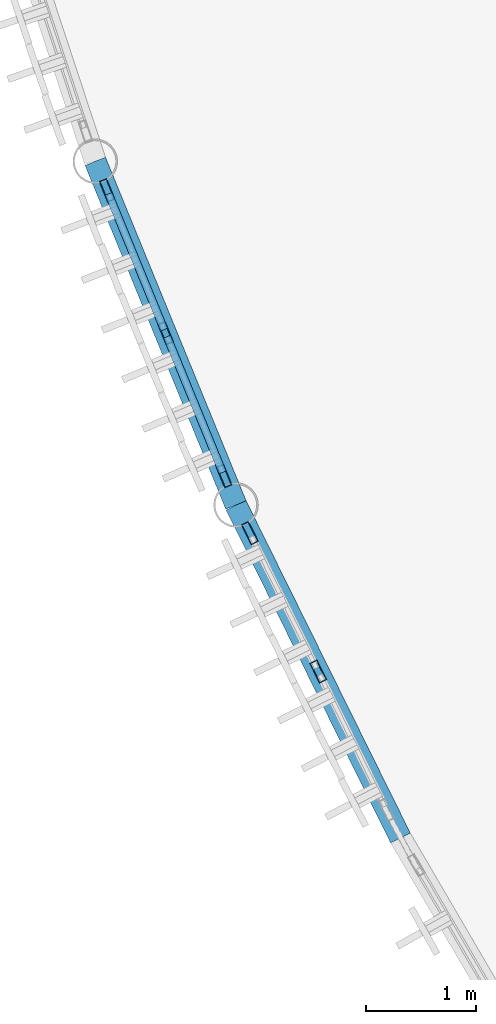
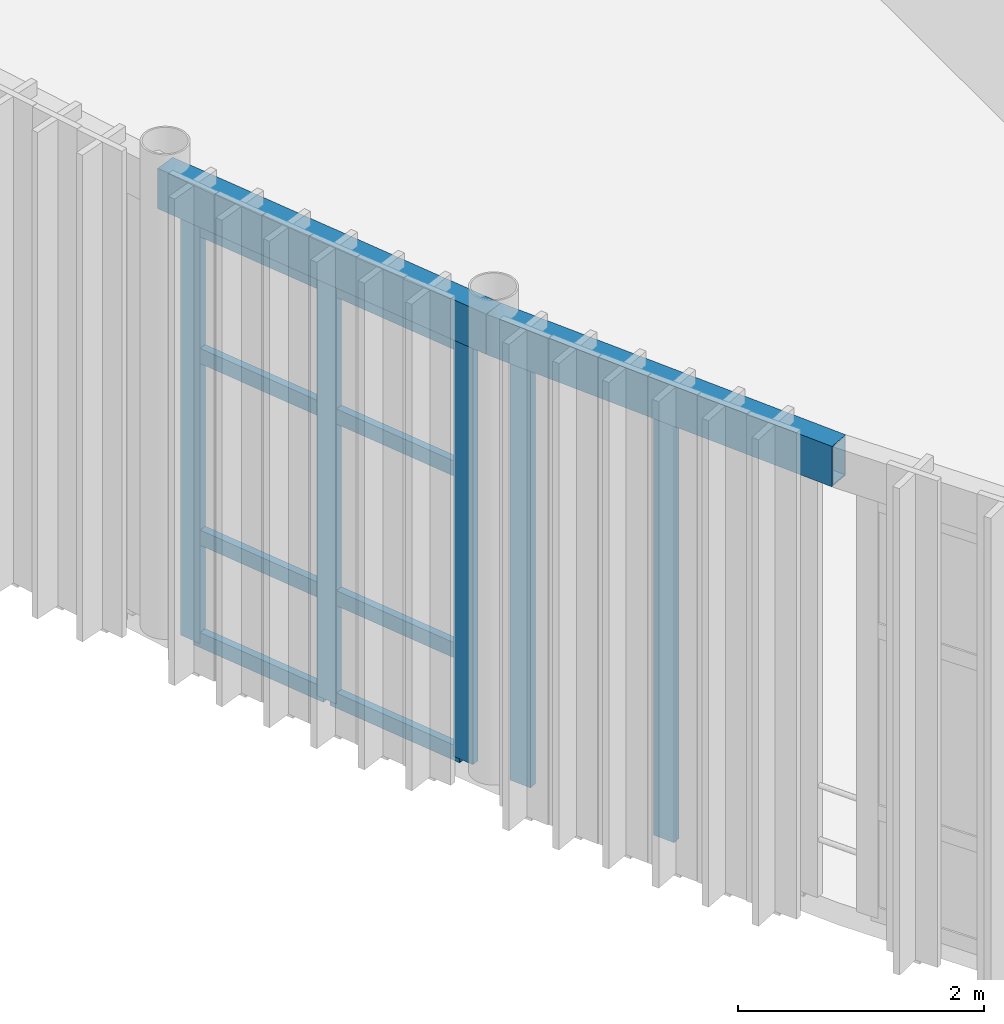
# One storey, part 24 of 116: 13 members, 2 beams, 2 elements without a shape of their own.
"""IFC4 building model written with IfcOpenShell, lengths in metres."""

import ifcopenshell
import ifcopenshell.guid

model = None  # the IFC model being written
_history = None  # IfcOwnerHistory: only IFC2X3 demands one
_inside = {}  # id of a spatial element -> (the spatial element, [elements in it])
_under = {}  # id of a project, library or spatial element -> (it, [spatial elements below it])
_declared = {}  # id of a project -> (the project, [libraries it declares])
_typed = {}  # id of a type object -> (the type object, [elements of that type])
_made_of = {}  # id of a material, layer set ... -> (it, [elements and type objects made of it])


def new_model(schema):
    """Start an empty IFC model of exactly this schema.

    Asked for "IFC4X3", IfcOpenShell would pick the latest addendum, in which some entities
    have other attributes; the version numbers below select the first issue.
    IFC2X3 requires an IfcOwnerHistory on every rooted entity: one is made here for all.
    """
    global model, _history
    if schema == "IFC4X3":
        model = ifcopenshell.file(schema_version=(4, 3, 0, 0))
    else:
        model = ifcopenshell.file(schema=schema)
    _inside.clear()
    _under.clear()
    _declared.clear()
    _typed.clear()
    _made_of.clear()
    _history = None
    if model.schema == "IFC2X3":
        org = make("IfcOrganization", Name="unknown")
        user = make(
            "IfcPersonAndOrganization",
            ThePerson=make("IfcPerson", FamilyName="unknown"),
            TheOrganization=org,
        )
        app = make(
            "IfcApplication",
            ApplicationDeveloper=org,
            Version="unknown",
            ApplicationFullName="unknown",
            ApplicationIdentifier="unknown",
        )
        _history = make(
            "IfcOwnerHistory",
            OwningUser=user,
            OwningApplication=app,
            ChangeAction="ADDED",
            CreationDate=0,
        )
    return model


def make(cls, **values):
    """One entity of the class cls with the attributes given. An attribute that is None is left unset."""
    return model.create_entity(
        cls, **{name: value for name, value in values.items() if value is not None}
    )


def rooted(cls, **values):
    """An entity with a GlobalId (a new one), such as an element, a storey or a relation."""
    return make(cls, GlobalId=ifcopenshell.guid.new(), OwnerHistory=_history, **values)


def si_unit(unit_type, name, prefix=None):
    """IfcSIUnit, for example si_unit("LENGTHUNIT", "METRE", prefix="MILLI")."""
    return make("IfcSIUnit", UnitType=unit_type, Prefix=prefix, Name=name)


def assignment(units):
    """IfcUnitAssignment: the units of a project."""
    return None if units is None else make("IfcUnitAssignment", Units=units)


def point(xyz):
    """IfcCartesianPoint."""
    return None if xyz is None else make("IfcCartesianPoint", Coordinates=xyz)


def direction(xyz):
    """IfcDirection."""
    return None if xyz is None else make("IfcDirection", DirectionRatios=xyz)


def frame(location, z_axis=None, x_axis=None):
    """IfcAxis2Placement3D, a coordinate frame: its origin and axes. An axis left out is left unset."""
    return make(
        "IfcAxis2Placement3D",
        Location=point(location),
        Axis=direction(z_axis),
        RefDirection=direction(x_axis),
    )


def frame_2d(location, x_axis=None):
    """IfcAxis2Placement2D, a coordinate frame in the plane: its origin and x axis."""
    return make(
        "IfcAxis2Placement2D", Location=point(location), RefDirection=direction(x_axis)
    )


def origin():
    """The frame at (0, 0, 0) with its axes left unset."""
    return frame((0.0, 0.0, 0.0))


def origin_2d():
    """The frame at (0, 0) in the plane with its x axis left unset."""
    return frame_2d((0.0, 0.0))


def place(relative_to, where):
    """IfcLocalPlacement: puts the frame where relative to a parent placement (None: the world)."""
    return make(
        "IfcLocalPlacement", PlacementRelTo=relative_to, RelativePlacement=where
    )


def context(
    kind, dimensions, precision=None, world=None, true_north=None, identifier=None
):
    """IfcGeometricRepresentationContext, for example the 3D "Model" context."""
    return make(
        "IfcGeometricRepresentationContext",
        ContextIdentifier=identifier,
        ContextType=kind,
        CoordinateSpaceDimension=dimensions,
        Precision=precision,
        WorldCoordinateSystem=world,
        TrueNorth=true_north,
    )


def subcontext(parent, identifier, kind, view, scale=None):
    """IfcGeometricRepresentationSubContext, for example "Body" below "Model"."""
    return make(
        "IfcGeometricRepresentationSubContext",
        ContextIdentifier=identifier,
        ContextType=kind,
        ParentContext=parent,
        TargetScale=scale,
        TargetView=view,
    )


def project(units=None, contexts=None):
    """IfcProject with its units and contexts."""
    return rooted(
        "IfcProject",
        Name="project",
        RepresentationContexts=contexts,
        UnitsInContext=assignment(units),
    )


def spatial(cls, under=None, at=None, **own):
    """A site, building, storey or space (cls), placed at a placement, below another one or the project."""
    s = rooted(cls, ObjectPlacement=at, **own)
    if under is not None:
        _under.setdefault(under.id(), (under, []))[1].append(s)
    return s


def profile(cls, at=None, kind="AREA", **sizes):
    """A parametric profile (cls). Its sizes go by their IFC names, for example OverallWidth=200.0."""
    return make(cls, ProfileType=kind, Position=at, **sizes)


def hollow_rectangle(**sizes):
    """IfcRectangleHollowProfileDef."""
    return profile("IfcRectangleHollowProfileDef", **sizes)


def extrude(swept, where, along, depth):
    """IfcExtrudedAreaSolid: the profile swept, set in the frame where, extruded along a direction by depth."""
    return make(
        "IfcExtrudedAreaSolid",
        SweptArea=swept,
        Position=where,
        ExtrudedDirection=direction(along),
        Depth=depth,
    )


def shape(context_of_items, identifier, shape_type, items):
    """IfcShapeRepresentation: the items that make up one representation, for example the "Body"."""
    return make(
        "IfcShapeRepresentation",
        ContextOfItems=context_of_items,
        RepresentationIdentifier=identifier,
        RepresentationType=shape_type,
        Items=items,
    )


def material(Name=None, Category=None):
    """IfcMaterial."""
    return make("IfcMaterial", Name=Name, Category=Category)


def layer(
    of_material, thickness, ventilated=None, Name=None, Category=None, Priority=None
):
    """IfcMaterialLayer: one layer of a wall or slab, of a material (None: an air gap)."""
    return make(
        "IfcMaterialLayer",
        Material=of_material,
        LayerThickness=thickness,
        IsVentilated=ventilated,
        Name=Name,
        Category=Category,
        Priority=Priority,
    )


def layer_set(layers, Name=None):
    """IfcMaterialLayerSet."""
    return make("IfcMaterialLayerSet", MaterialLayers=layers, LayerSetName=Name)


def material_profile(
    of_material, cross_section, Name=None, Category=None, Priority=None
):
    """IfcMaterialProfile: a cross section and its material."""
    return make(
        "IfcMaterialProfile",
        Name=Name,
        Material=of_material,
        Profile=cross_section,
        Priority=Priority,
        Category=Category,
    )


def profile_set(profiles, Name=None, composite=None):
    """IfcMaterialProfileSet."""
    return make(
        "IfcMaterialProfileSet",
        Name=Name,
        MaterialProfiles=profiles,
        CompositeProfile=composite,
    )


def made_of(thing, what):
    """Note that an element or type object is made of a material, layer set ...; save() writes the relation."""
    if what is not None:
        _made_of.setdefault(what.id(), (what, []))[1].append(thing)
    return thing


def type_object(cls, material=None, **own):
    """A type object (cls), such as IfcWallType, which elements share."""
    return made_of(rooted(cls, **own), material)


def element(
    cls,
    number,
    at=None,
    inside=None,
    cuts=None,
    type_object=None,
    material=None,
    context=None,
    identifier="Body",
    shape_type=None,
    held_by="IfcProductDefinitionShape",
    body=None,
    shapes=None,
    **own,
):
    """One element of the class cls, such as IfcWall. Its Tag is "e" and its number.

    at: its placement. inside: the storey or other place that contains it. cuts: it is an
    opening in that element (IfcRelVoidsElement). A single representation is given by context,
    identifier, shape_type and body (its items); several are given by shapes. held_by: the class
    of the entity that holds the representations. save() writes the other relations.
    """
    e = rooted(cls, Tag="e%d" % number, ObjectPlacement=at, **own)
    if body is not None:
        shapes = [shape(context, identifier, shape_type, body)]
    if shapes is not None:
        e.Representation = make(held_by, Representations=shapes)
    if inside is not None:
        _inside.setdefault(inside.id(), (inside, []))[1].append(e)
    if cuts is not None:
        rooted(
            "IfcRelVoidsElement", RelatingBuildingElement=cuts, RelatedOpeningElement=e
        )
    if type_object is not None:
        _typed.setdefault(type_object.id(), (type_object, []))[1].append(e)
    return made_of(e, material)


def aggregate(whole, parts):
    """IfcRelAggregates: a whole, such as a stair, and the parts it consists of."""
    return rooted("IfcRelAggregates", RelatingObject=whole, RelatedObjects=parts)


def save(model, path):
    """Write the relations noted so far, then the file.

    IfcRelAggregates (storeys below a building ...), IfcRelContainedInSpatialStructure (elements
    in a storey), IfcRelDefinesByType, IfcRelAssociatesMaterial and IfcRelDeclares: one each for
    every whole, place, type object, material and project.
    """
    for whole, parts in _under.values():
        aggregate(whole, parts)
    for where, things in _inside.values():
        rooted(
            "IfcRelContainedInSpatialStructure",
            RelatedElements=things,
            RelatingStructure=where,
        )
    for kind, things in _typed.values():
        rooted("IfcRelDefinesByType", RelatedObjects=things, RelatingType=kind)
    for what, things in _made_of.values():
        rooted("IfcRelAssociatesMaterial", RelatedObjects=things, RelatingMaterial=what)
    for by, libraries in _declared.values():
        rooted("IfcRelDeclares", RelatingContext=by, RelatedDefinitions=libraries)
    model.write(path)


model = new_model("IFC4")

# Units and contexts
model_context = context("Model", 3, precision=1e-05, world=origin(), true_north=direction((0.0, 1.0)))
body_context = subcontext(model_context, "Body", "Model", "MODEL_VIEW")
ifc_project = project(units=[si_unit("LENGTHUNIT", "METRE"), si_unit("AREAUNIT", "SQUARE_METRE"), si_unit("VOLUMEUNIT", "CUBIC_METRE"), si_unit("PLANEANGLEUNIT", "RADIAN"), si_unit("MASSUNIT", "GRAM", prefix="KILO")], contexts=[model_context])

# Site, building, storey
site_placement = place(None, origin())
site = spatial("IfcSite", under=ifc_project, at=site_placement, CompositionType="ELEMENT")
building_placement = place(site_placement, origin())
building = spatial("IfcBuilding", under=site, at=building_placement, Name="Selat Folded Stagehouse", CompositionType="ELEMENT")
storey_placement = place(building_placement, frame((0.0, 0.0, 5.39990234375)))
storey = spatial("IfcBuildingStorey", under=building, at=storey_placement, Name="L01", CompositionType="ELEMENT", Elevation=5.39990234375)

# Curtain wall, members
ifc_material_1 = material(Name="Aluminium 6063-T6", Category="aluminium")
ifc_layer = layer(ifc_material_1, 0.199951171875)
ifc_layer_set = layer_set([ifc_layer], Name="Aluminium 6063-T6")
curtain_wall_type = type_object("IfcCurtainWallType", Name="CW-DRM-MID", PredefinedType="NOTDEFINED", material=ifc_layer_set)
curtain_wall_1_placement = place(storey_placement, origin())
curtain_wall_1 = element("IfcCurtainWall", 1, at=curtain_wall_1_placement, inside=storey, type_object=curtain_wall_type, Name="L01 curtain wall CW-DRM-L01-07", PredefinedType="NOTDEFINED")
ifc_material_profile_1 = material_profile(ifc_material_1, hollow_rectangle(XDim=0.070068359375, YDim=0.199951171875, WallThickness=0.0048828125, at=origin_2d()), Name="ALU 200x70x5.0")
ifc_profile_set_1 = profile_set([ifc_material_profile_1], Name="Aluminium 6063-T6")
member_type_1 = type_object("IfcMemberType", Name="CWM-MUL-200x70", PredefinedType="MULLION", material=ifc_profile_set_1)
member_1_placement = place(storey_placement, frame((4.135986328125, 28.5302734375, 0.0), z_axis=(0.0, 0.0, 1.0), x_axis=(-0.925441425231, -0.378890707813, 0.0)))
member_1 = element("IfcMember", 2, at=member_1_placement, type_object=member_type_1, Name="CW-02 mullion 1", PredefinedType="MULLION", context=body_context, shape_type="SweptSolid", body=[
    extrude(hollow_rectangle(XDim=0.070068359375, YDim=0.199951171875, WallThickness=0.0048828125, at=origin_2d()), origin(), (0.0, 0.0, 1.0), 4.14013671875),
])
member_2_placement = place(storey_placement, frame((3.605712890625, 29.8251953125, 0.0), z_axis=(0.0, 0.0, 1.0), x_axis=(-0.925441425231, -0.378890707813, 0.0)))
member_2 = element("IfcMember", 3, at=member_2_placement, type_object=member_type_1, Name="CW-02 mullion 2", PredefinedType="MULLION", context=body_context, shape_type="SweptSolid", body=[
    extrude(hollow_rectangle(XDim=0.070068359375, YDim=0.199951171875, WallThickness=0.0048828125, at=origin_2d()), origin(), (0.0, 0.0, 1.0), 4.14013671875),
])
member_3_placement = place(storey_placement, frame((3.075439453125, 31.120361328125, 0.0), z_axis=(0.0, 0.0, 1.0), x_axis=(-0.925441425231, -0.378890707813, 0.0)))
member_3 = element("IfcMember", 4, at=member_3_placement, type_object=member_type_1, Name="CW-02 mullion 3", PredefinedType="MULLION", context=body_context, shape_type="SweptSolid", body=[
    extrude(hollow_rectangle(XDim=0.070068359375, YDim=0.199951171875, WallThickness=0.0048828125, at=origin_2d()), origin(), (0.0, 0.0, 1.0), 4.14013671875),
])

curtain_wall_2_placement = place(storey_placement, origin())
curtain_wall_2 = element("IfcCurtainWall", 5, at=curtain_wall_2_placement, inside=storey, type_object=curtain_wall_type, Name="L01 curtain wall CW-DRM-L01-08", PredefinedType="NOTDEFINED")
member_4_placement = place(storey_placement, frame((4.989990234375, 26.756103515625, 0.0), z_axis=(0.0, 0.0, 1.0), x_axis=(-0.896598356392, -0.442844653705, 0.0)))
member_4 = element("IfcMember", 6, at=member_4_placement, type_object=member_type_1, Name="CW-02 mullion 2", PredefinedType="MULLION", context=body_context, shape_type="SweptSolid", body=[
    extrude(hollow_rectangle(XDim=0.070068359375, YDim=0.199951171875, WallThickness=0.0048828125, at=origin_2d()), origin(), (0.0, 0.0, 1.0), 4.14013671875),
])
member_5_placement = place(storey_placement, frame((4.3701171875, 28.010986328125, 0.0), z_axis=(0.0, 0.0, 1.0), x_axis=(-0.896598356392, -0.442844653705, 0.0)))
member_5 = element("IfcMember", 7, at=member_5_placement, type_object=member_type_1, Name="CW-02 mullion 3", PredefinedType="MULLION", context=body_context, shape_type="SweptSolid", body=[
    extrude(hollow_rectangle(XDim=0.070068359375, YDim=0.199951171875, WallThickness=0.0048828125, at=origin_2d()), origin(), (0.0, 0.0, 1.0), 4.14013671875),
])
aggregate(curtain_wall_2, [member_4, member_5])

# Member
ifc_material_profile_2 = material_profile(ifc_material_1, hollow_rectangle(XDim=0.070068359375, YDim=0.14990234375, WallThickness=0.00390625, at=origin_2d()), Name="ALU 150x70x4.0")
ifc_profile_set_2 = profile_set([ifc_material_profile_2], Name="Aluminium 6063-T6")
member_type_2 = type_object("IfcMemberType", Name="CWM-TRN-150x70", PredefinedType="USERDEFINED", material=ifc_profile_set_2)
member_6_placement = place(storey_placement, frame((4.122802734375, 28.5625, 0.03515625), z_axis=(-0.378818738261, 0.925470887463, 0.0), x_axis=(-0.925470887463, -0.378818738261, 0.0)))
member_6 = element("IfcMember", 8, at=member_6_placement, type_object=member_type_2, Name="CW-02 transom 1.1", ObjectType="TRANSOM", PredefinedType="USERDEFINED", context=body_context, shape_type="SweptSolid", body=[
    extrude(hollow_rectangle(XDim=0.070068359375, YDim=0.14990234375, WallThickness=0.00390625, at=origin_2d()), origin(), (0.0, 0.0, 1.0), 1.32958984375),
])

member_7_placement = place(storey_placement, frame((4.122802734375, 28.5625, 1.050048828125), z_axis=(-0.378818738261, 0.925470887463, 0.0), x_axis=(-0.925470887463, -0.378818738261, 0.0)))
member_7 = element("IfcMember", 9, at=member_7_placement, type_object=member_type_2, Name="CW-02 transom 1.2", ObjectType="TRANSOM", PredefinedType="USERDEFINED", context=body_context, shape_type="SweptSolid", body=[
    extrude(hollow_rectangle(XDim=0.070068359375, YDim=0.14990234375, WallThickness=0.00390625, at=origin_2d()), origin(), (0.0, 0.0, 1.0), 1.32958984375),
])

member_8_placement = place(storey_placement, frame((4.122802734375, 28.5625, 2.85009765625), z_axis=(-0.378818738261, 0.925470887463, 0.0), x_axis=(-0.925470887463, -0.378818738261, 0.0)))
member_8 = element("IfcMember", 10, at=member_8_placement, type_object=member_type_2, Name="CW-02 transom 1.3", ObjectType="TRANSOM", PredefinedType="USERDEFINED", context=body_context, shape_type="SweptSolid", body=[
    extrude(hollow_rectangle(XDim=0.070068359375, YDim=0.14990234375, WallThickness=0.00390625, at=origin_2d()), origin(), (0.0, 0.0, 1.0), 1.32958984375),
])

member_9_placement = place(storey_placement, frame((4.122802734375, 28.5625, 4.10498046875), z_axis=(-0.378818738261, 0.925470887463, 0.0), x_axis=(-0.925470887463, -0.378818738261, 0.0)))
member_9 = element("IfcMember", 11, at=member_9_placement, type_object=member_type_2, Name="CW-02 transom 1.4", ObjectType="TRANSOM", PredefinedType="USERDEFINED", context=body_context, shape_type="SweptSolid", body=[
    extrude(hollow_rectangle(XDim=0.070068359375, YDim=0.14990234375, WallThickness=0.00390625, at=origin_2d()), origin(), (0.0, 0.0, 1.0), 1.32958984375),
])

member_10_placement = place(storey_placement, frame((3.592529296875, 29.857666015625, 0.03515625), z_axis=(-0.378818738261, 0.925470887463, 0.0), x_axis=(-0.925470887463, -0.378818738261, 0.0)))
member_10 = element("IfcMember", 12, at=member_10_placement, type_object=member_type_2, Name="CW-02 transom 2.1", ObjectType="TRANSOM", PredefinedType="USERDEFINED", context=body_context, shape_type="SweptSolid", body=[
    extrude(hollow_rectangle(XDim=0.070068359375, YDim=0.14990234375, WallThickness=0.00390625, at=origin_2d()), origin(), (0.0, 0.0, 1.0), 1.32958984375),
])

member_11_placement = place(storey_placement, frame((3.592529296875, 29.857666015625, 1.050048828125), z_axis=(-0.378818738261, 0.925470887463, 0.0), x_axis=(-0.925470887463, -0.378818738261, 0.0)))
member_11 = element("IfcMember", 13, at=member_11_placement, type_object=member_type_2, Name="CW-02 transom 2.2", ObjectType="TRANSOM", PredefinedType="USERDEFINED", context=body_context, shape_type="SweptSolid", body=[
    extrude(hollow_rectangle(XDim=0.070068359375, YDim=0.14990234375, WallThickness=0.00390625, at=origin_2d()), origin(), (0.0, 0.0, 1.0), 1.32958984375),
])

member_12_placement = place(storey_placement, frame((3.592529296875, 29.857666015625, 2.85009765625), z_axis=(-0.378818738261, 0.925470887463, 0.0), x_axis=(-0.925470887463, -0.378818738261, 0.0)))
member_12 = element("IfcMember", 14, at=member_12_placement, type_object=member_type_2, Name="CW-02 transom 2.3", ObjectType="TRANSOM", PredefinedType="USERDEFINED", context=body_context, shape_type="SweptSolid", body=[
    extrude(hollow_rectangle(XDim=0.070068359375, YDim=0.14990234375, WallThickness=0.00390625, at=origin_2d()), origin(), (0.0, 0.0, 1.0), 1.32958984375),
])

member_13_placement = place(storey_placement, frame((3.592529296875, 29.857666015625, 4.10498046875), z_axis=(-0.378818738261, 0.925470887463, 0.0), x_axis=(-0.925470887463, -0.378818738261, 0.0)))
member_13 = element("IfcMember", 15, at=member_13_placement, type_object=member_type_2, Name="CW-02 transom 2.4", ObjectType="TRANSOM", PredefinedType="USERDEFINED", context=body_context, shape_type="SweptSolid", body=[
    extrude(hollow_rectangle(XDim=0.070068359375, YDim=0.14990234375, WallThickness=0.00390625, at=origin_2d()), origin(), (0.0, 0.0, 1.0), 1.32958984375),
])

aggregate(curtain_wall_1, [member_1, member_2, member_3, member_6, member_7, member_8, member_9, member_10, member_11, member_12, member_13])

# Beams
ifc_material_2 = material(Name="Steel S355", Category="steel")
ifc_material_profile_3 = material_profile(ifc_material_2, hollow_rectangle(XDim=0.199951171875, YDim=0.39990234375, WallThickness=0.012451171875, at=origin_2d()), Name="RHS 400x200x12.5")
ifc_profile_set_3 = profile_set([ifc_material_profile_3], Name="Steel S355")
beam_type = type_object("IfcBeamType", Name="SPD-EXT-400x200", PredefinedType="SPANDREL", material=ifc_profile_set_3)
for number, where, z_axis, x_axis, name in (
    (16, (2.967529296875, 31.38427734375, 4.380126953125), (0.3788501038, -0.925458048131, 0.0), (0.925458048131, 0.3788501038, 0.0), "L01 curved drum spandrel beam 8"),
    (17, (4.243896484375, 28.266357421875, 4.380126953125), (0.442889628602, -0.896576141148, 0.0), (0.896576141148, 0.442889628602, 0.0), "L01 curved drum spandrel beam 9"),
):
    element("IfcBeam", number, at=place(storey_placement, frame(where, z_axis=z_axis, x_axis=x_axis)), inside=storey, type_object=beam_type, Name=name, PredefinedType="SPANDREL", context=body_context, shape_type="SweptSolid", body=[
        extrude(hollow_rectangle(XDim=0.199951171875, YDim=0.39990234375, WallThickness=0.012451171875, at=origin_2d()), origin(), (0.0, 0.0, 1.0), 3.369140625),
    ])

save(model, "model.ifc")
